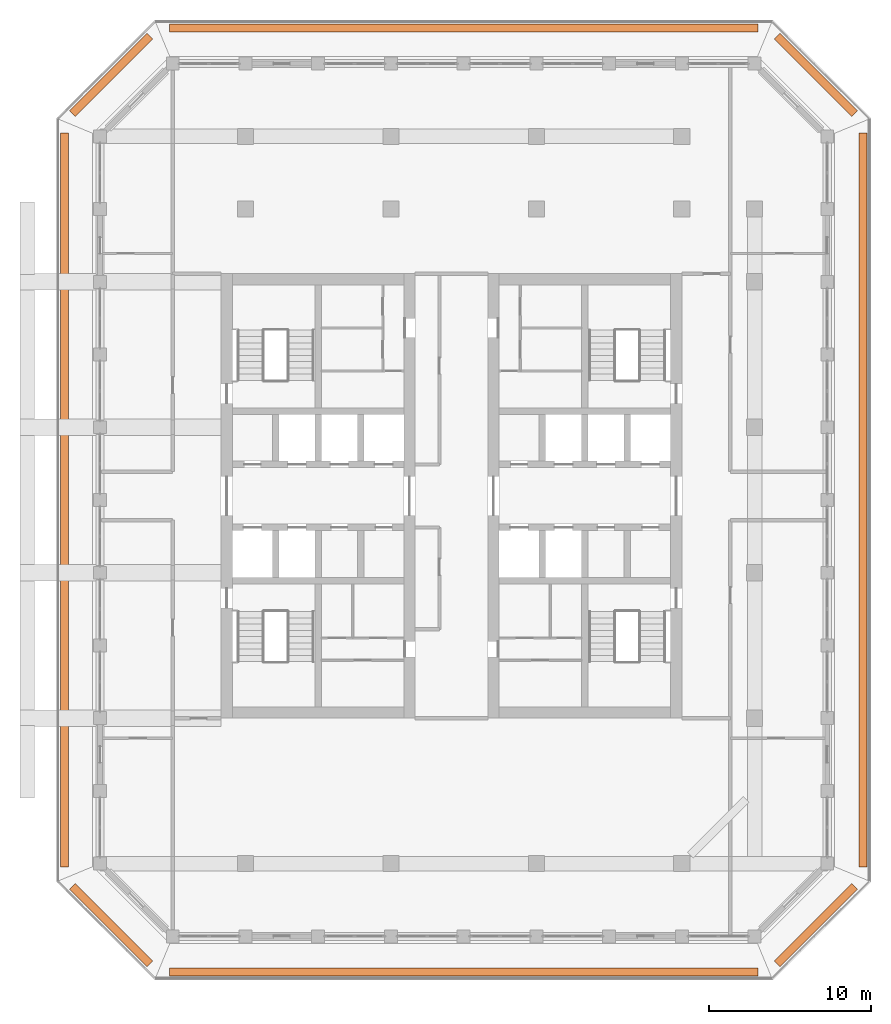
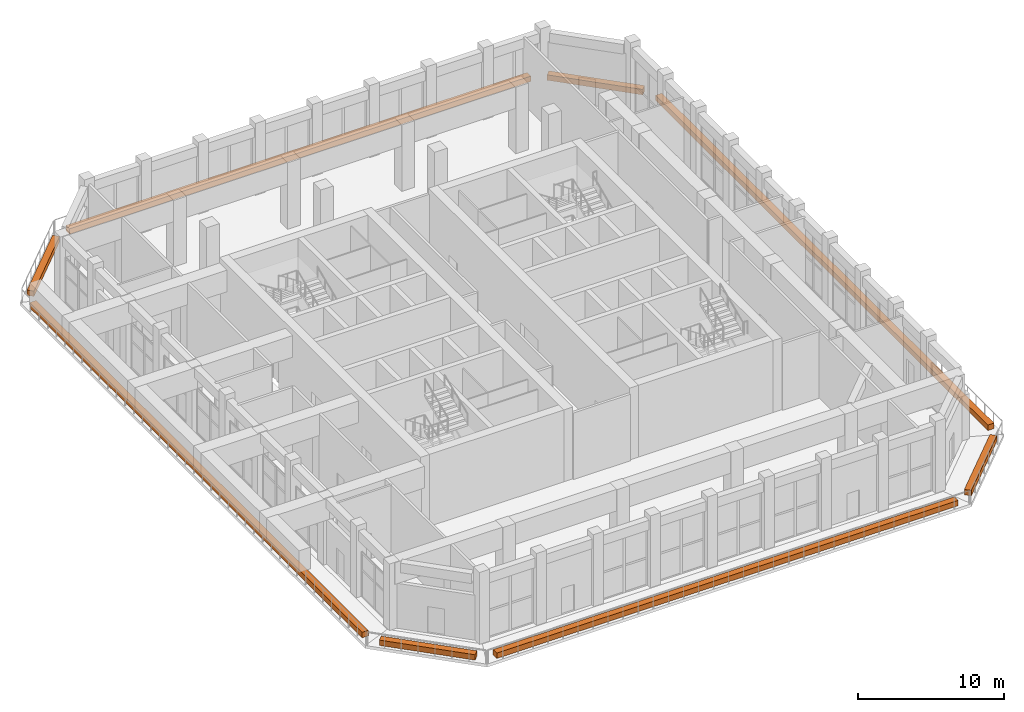
# One storey, part 25 of 25: 8 proxies.
"""IFC4 building model written with IfcOpenShell, lengths in metres."""

from ifc_helpers import new_model, si_unit, direction, frame, origin, origin_2d, place, context, subcontext, project, spatial, rectangle, extrude, material, type_object, element, save


model = new_model("IFC4")

# Units and contexts
model_context = context("Model", 3, precision=1e-05, world=origin(), true_north=direction((0.0, 1.0)))
body_context = subcontext(model_context, "Body", "Model", "MODEL_VIEW")
ifc_project = project(units=[si_unit("LENGTHUNIT", "METRE"), si_unit("AREAUNIT", "SQUARE_METRE"), si_unit("VOLUMEUNIT", "CUBIC_METRE"), si_unit("PLANEANGLEUNIT", "RADIAN"), si_unit("MASSUNIT", "GRAM", prefix="KILO")], contexts=[model_context])

# Site, building, storey
site_placement = place(None, origin())
site = spatial("IfcSite", under=ifc_project, at=site_placement, CompositionType="ELEMENT")
building_placement = place(site_placement, origin())
building = spatial("IfcBuilding", under=site, at=building_placement, Name="Corbel Stack Research Tower", CompositionType="ELEMENT")
storey_placement = place(building_placement, frame((0.0, 0.0, 260.300048828125)))
storey = spatial("IfcBuildingStorey", under=building, at=storey_placement, Name="L59", CompositionType="ELEMENT", Elevation=260.300048828125)

# Proxies
ifc_material = material(Name="Concrete C45/55", Category="concrete")
building_element_proxy_type = type_object("IfcBuildingElementProxyType", Name="Planter box", PredefinedType="USERDEFINED", material=ifc_material)
proxy_1_placement = place(storey_placement, frame((4.5, -24.699951171875, 0.0), z_axis=(0.0, 0.0, 1.0), x_axis=(1.0, 0.0, 0.0)))
element("IfcBuildingElementProxy", 1, at=proxy_1_placement, inside=storey, type_object=building_element_proxy_type, Name="Planter L59 S", ObjectType="PLANTER", PredefinedType="USERDEFINED", context=body_context, shape_type="SweptSolid", body=[
    extrude(rectangle(XDim=36.41064453125, YDim=0.5, at=origin_2d()), origin(), (0.0, 0.0, 1.0), 0.449951171875),
])
proxy_2_placement = place(storey_placement, frame((26.3056640625, -21.8056640625, 0.0), z_axis=(0.0, 0.0, 1.0), x_axis=(0.707106781187, 0.707106781187, 0.0)))
element("IfcBuildingElementProxy", 2, at=proxy_2_placement, inside=storey, type_object=building_element_proxy_type, Name="Planter L59 SE", ObjectType="PLANTER", PredefinedType="USERDEFINED", context=body_context, shape_type="SweptSolid", body=[
    extrude(rectangle(XDim=6.774658203125, YDim=0.5, at=origin_2d()), origin(), (0.0, 0.0, 1.0), 0.449951171875),
])
proxy_3_placement = place(storey_placement, frame((29.199951171875, 4.5, 0.0), z_axis=(0.0, 0.0, 1.0), x_axis=(0.0, 1.0, 0.0)))
element("IfcBuildingElementProxy", 3, at=proxy_3_placement, inside=storey, type_object=building_element_proxy_type, Name="Planter L59 E", ObjectType="PLANTER", PredefinedType="USERDEFINED", context=body_context, shape_type="SweptSolid", body=[
    extrude(rectangle(XDim=45.41064453125, YDim=0.5, at=origin_2d()), origin(), (0.0, 0.0, 1.0), 0.449951171875),
])
proxy_4_placement = place(storey_placement, frame((26.3056640625, 30.8056640625, 0.0), z_axis=(0.0, 0.0, 1.0), x_axis=(-0.707106781187, 0.707106781187, 0.0)))
element("IfcBuildingElementProxy", 4, at=proxy_4_placement, inside=storey, type_object=building_element_proxy_type, Name="Planter L59 NE", ObjectType="PLANTER", PredefinedType="USERDEFINED", context=body_context, shape_type="SweptSolid", body=[
    extrude(rectangle(XDim=6.774658203125, YDim=0.5, at=origin_2d()), origin(), (0.0, 0.0, 1.0), 0.449951171875),
])
proxy_5_placement = place(storey_placement, frame((4.5, 33.699951171875, 0.0), z_axis=(0.0, 0.0, 1.0), x_axis=(-1.0, 0.0, 0.0)))
element("IfcBuildingElementProxy", 5, at=proxy_5_placement, inside=storey, type_object=building_element_proxy_type, Name="Planter L59 N", ObjectType="PLANTER", PredefinedType="USERDEFINED", context=body_context, shape_type="SweptSolid", body=[
    extrude(rectangle(XDim=36.41064453125, YDim=0.5, at=origin_2d()), origin(), (0.0, 0.0, 1.0), 0.449951171875),
])
proxy_6_placement = place(storey_placement, frame((-17.3056640625, 30.8056640625, 0.0), z_axis=(0.0, 0.0, 1.0), x_axis=(-0.707106781187, -0.707106781187, 0.0)))
element("IfcBuildingElementProxy", 6, at=proxy_6_placement, inside=storey, type_object=building_element_proxy_type, Name="Planter L59 NW", ObjectType="PLANTER", PredefinedType="USERDEFINED", context=body_context, shape_type="SweptSolid", body=[
    extrude(rectangle(XDim=6.774658203125, YDim=0.5, at=origin_2d()), origin(), (0.0, 0.0, 1.0), 0.449951171875),
])
proxy_7_placement = place(storey_placement, frame((-20.199951171875, 4.5, 0.0), z_axis=(0.0, 0.0, 1.0), x_axis=(0.0, -1.0, 0.0)))
element("IfcBuildingElementProxy", 7, at=proxy_7_placement, inside=storey, type_object=building_element_proxy_type, Name="Planter L59 W", ObjectType="PLANTER", PredefinedType="USERDEFINED", context=body_context, shape_type="SweptSolid", body=[
    extrude(rectangle(XDim=45.41064453125, YDim=0.5, at=origin_2d()), origin(), (0.0, 0.0, 1.0), 0.449951171875),
])
proxy_8_placement = place(storey_placement, frame((-17.3056640625, -21.8056640625, 0.0), z_axis=(0.0, 0.0, 1.0), x_axis=(0.707106781187, -0.707106781187, 0.0)))
element("IfcBuildingElementProxy", 8, at=proxy_8_placement, inside=storey, type_object=building_element_proxy_type, Name="Planter L59 SW", ObjectType="PLANTER", PredefinedType="USERDEFINED", context=body_context, shape_type="SweptSolid", body=[
    extrude(rectangle(XDim=6.774658203125, YDim=0.5, at=origin_2d()), origin(), (0.0, 0.0, 1.0), 0.449951171875),
])

save(model, "model.ifc")
